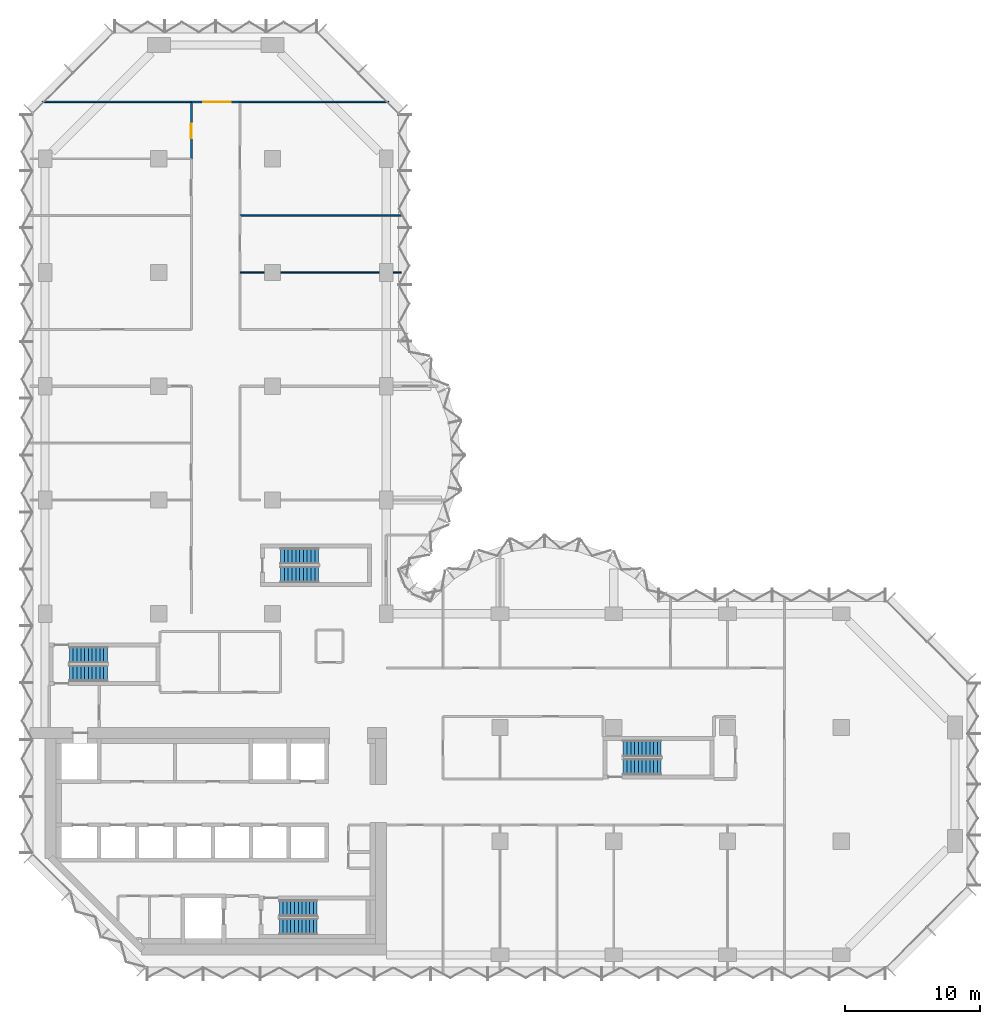
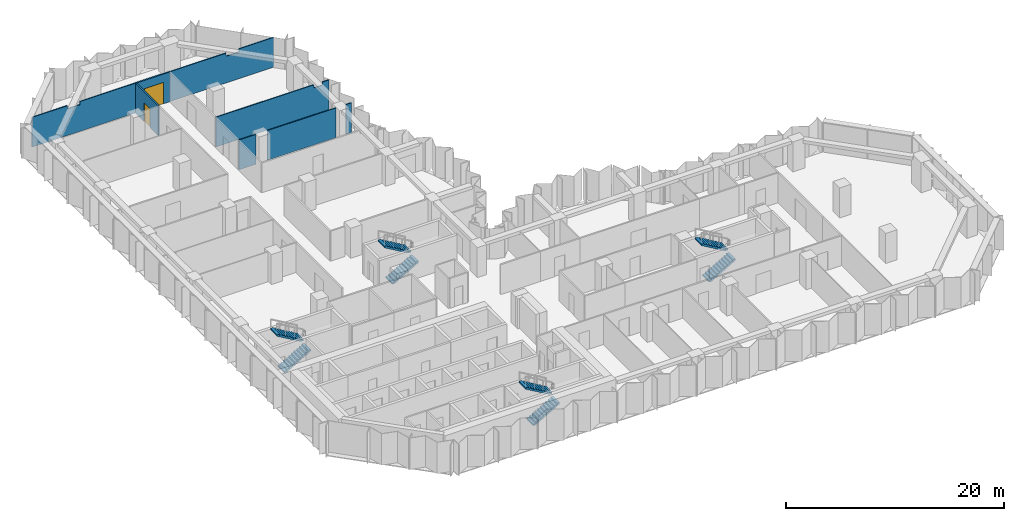
# One storey, part 11 of 13: 8 stair flights, 8 walls, 2 doors, 2 openings, 4 elements without a shape of their own.
"""IFC4 building model written with IfcOpenShell, lengths in metres."""

from ifc_helpers import new_model, si_unit, direction, frame, frame_2d, origin, place, context, subcontext, project, spatial, polyline, rectangle, outline, extrude, material, layer, layer_set, type_object, element, fill, aggregate, save


model = new_model("IFC4")

# Units and contexts
model_context = context("Model", 3, precision=1e-05, world=origin(), true_north=direction((0.0, 1.0)))
body_context = subcontext(model_context, "Body", "Model", "MODEL_VIEW")
ifc_project = project(units=[si_unit("LENGTHUNIT", "METRE"), si_unit("AREAUNIT", "SQUARE_METRE"), si_unit("VOLUMEUNIT", "CUBIC_METRE"), si_unit("PLANEANGLEUNIT", "RADIAN"), si_unit("MASSUNIT", "GRAM", prefix="KILO")], contexts=[model_context])

# Site, building, storey
site_placement = place(None, origin())
site = spatial("IfcSite", under=ifc_project, at=site_placement, CompositionType="ELEMENT")
building_placement = place(site_placement, origin())
building = spatial("IfcBuilding", under=site, at=building_placement, Name="Brevane Broadcast Tower", CompositionType="ELEMENT")
storey_placement = place(building_placement, frame((0.0, 0.0, 131.300048828125)))
storey = spatial("IfcBuildingStorey", under=building, at=storey_placement, Name="L32", CompositionType="ELEMENT", Elevation=131.300048828125)

# Walls
ifc_material_1 = material(Name="Gypsum board partition")
ifc_layer_1 = layer(ifc_material_1, 0.10009765625)
ifc_layer_set_1 = layer_set([ifc_layer_1], Name="PARTITION 100 STUD")
wall_type_1 = type_object("IfcWallType", Name="PARTITION 100 STUD", PredefinedType="PARTITIONING", material=ifc_layer_set_1)
wall_1_placement = place(storey_placement, frame((10.800048828125, 63.0, 0.0), z_axis=(0.0, 0.0, 1.0), x_axis=(-1.0, 0.0, 0.0)))
element("IfcWall", 1, at=wall_1_placement, inside=storey, type_object=wall_type_1, Name="Partition G09-061", PredefinedType="PARTITIONING", context=body_context, shape_type="SweptSolid", body=[
    extrude(outline(polyline([(0.0, 0.0), (11.0, 0.0), (11.0, 3.329833984375), (7.265625, 3.329833984375), (7.263671875, 2.97998046875), (5.936279296875, 2.97998046875), (5.934326171875, 3.329833984375), (0.0, 3.329833984375), (0.0, 0.0)])), frame((0.0, 0.050048828125, 0.0), z_axis=(0.0, -1.0, 0.0), x_axis=(1.0, 0.0, 0.0)), (0.0, 0.0, 1.0), 0.10009765625),
])
wall_2_placement = place(storey_placement, frame((25.39990234375, 63.0, 0.0), z_axis=(0.0, 0.0, 1.0), x_axis=(-1.0, 0.0, 0.0)))
element("IfcWall", 2, at=wall_2_placement, inside=storey, type_object=wall_type_1, Name="Partition G09-062", PredefinedType="PARTITIONING", context=body_context, shape_type="SweptSolid", body=[
    extrude(outline(polyline([(0.0, 0.0), (11.0, 0.0), (11.0, 3.329833984375), (5.065673828125, 3.329833984375), (5.063720703125, 2.97998046875), (3.736328125, 2.97998046875), (3.734375, 3.329833984375), (0.0, 3.329833984375), (0.0, 0.0)])), frame((0.0, 0.050048828125, 0.0), z_axis=(0.0, -1.0, 0.0), x_axis=(1.0, 0.0, 0.0)), (0.0, 0.0, 1.0), 0.10009765625),
])
wall_3_placement = place(storey_placement, frame((14.39990234375, 50.39990234375, 0.0), z_axis=(0.0, 0.0, 1.0), x_axis=(1.0, 0.0, 0.0)))
element("IfcWall", 3, at=wall_3_placement, inside=storey, type_object=wall_type_1, Name="Partition G09-079", PredefinedType="PARTITIONING", context=body_context, shape_type="SweptSolid", body=[
    extrude(rectangle(XDim=1.780029296875, YDim=0.10009765625, at=frame_2d((0.89013671875, 0.0))), origin(), (0.0, 0.0, 1.0), 3.329833984375),
])
wall_4_placement = place(storey_placement, frame((17.419921875, 50.39990234375, 0.0), z_axis=(0.0, 0.0, 1.0), x_axis=(1.0, 0.0, 0.0)))
element("IfcWall", 4, at=wall_4_placement, inside=storey, type_object=wall_type_1, Name="Partition G09-080", PredefinedType="PARTITIONING", context=body_context, shape_type="SweptSolid", body=[
    extrude(rectangle(XDim=7.260009765625, YDim=0.10009765625, at=frame_2d((3.6298828125, 0.0))), origin(), (0.0, 0.0, 1.0), 3.329833984375),
])
wall_5_placement = place(storey_placement, frame((25.719970703125, 50.39990234375, 0.0), z_axis=(0.0, 0.0, 1.0), x_axis=(1.0, 0.0, 0.0)))
element("IfcWall", 5, at=wall_5_placement, inside=storey, type_object=wall_type_1, Name="Partition G09-081", PredefinedType="PARTITIONING", context=body_context, shape_type="SweptSolid", body=[
    extrude(rectangle(XDim=0.580078125, YDim=0.10009765625, at=frame_2d((0.2900390625, 0.0))), origin(), (0.0, 0.0, 1.0), 3.329833984375),
])
wall_6_placement = place(storey_placement, frame((14.39990234375, 54.60009765625, 0.0), z_axis=(0.0, 0.0, 1.0), x_axis=(1.0, 0.0, 0.0)))
element("IfcWall", 6, at=wall_6_placement, inside=storey, type_object=wall_type_1, Name="Partition G09-082", PredefinedType="PARTITIONING", context=body_context, shape_type="SweptSolid", body=[
    extrude(outline(polyline([(0.0, 0.0), (11.97412109375, 0.0), (11.97412109375, 3.329833984375), (11.89990234375, 3.329833984375), (11.25, 3.329833984375), (11.248046875, 2.97998046875), (10.35205078125, 2.97998046875), (10.35009765625, 3.329833984375), (0.0, 3.329833984375), (0.0, 0.0)])), frame((0.0, 0.050048828125, 0.0), z_axis=(0.0, -1.0, 0.0), x_axis=(1.0, 0.0, 0.0)), (0.0, 0.0, 1.0), 0.10009765625),
])

# Wall, opening, door
ifc_layer_2 = layer(ifc_material_1, 0.14990234375)
ifc_layer_set_2 = layer_set([ifc_layer_2], Name="PARTITION 150 EI 60")
wall_type_2 = type_object("IfcWallType", Name="PARTITION 150 EI 60", PredefinedType="PARTITIONING", material=ifc_layer_set_2)
wall_7_placement = place(storey_placement, frame((10.800048828125, 63.0, 0.0), z_axis=(0.0, 0.0, 1.0), x_axis=(1.0, 0.0, 0.0)))
wall_7 = element("IfcWall", 7, at=wall_7_placement, inside=storey, type_object=wall_type_2, Name="Partition G09-051", PredefinedType="PARTITIONING", context=body_context, shape_type="SweptSolid", body=[
    extrude(rectangle(XDim=3.599853515625, YDim=0.14990234375, at=frame_2d((1.7998046875, 0.0))), origin(), (0.0, 0.0, 1.0), 3.329833984375),
])
opening_1_placement = place(wall_7_placement, frame((0.89990234375, 0.0, 0.0)))
opening_1 = element("IfcOpeningElement", 8, at=opening_1_placement, cuts=wall_7, Name="Opening D16-016", PredefinedType="OPENING", context=body_context, shape_type="SweptSolid", body=[
    extrude(rectangle(XDim=2.0, YDim=2.39990234375, at=frame_2d((1.0, 1.199951171875))), frame((0.0, 0.0849609375, 0.0), z_axis=(0.0, -1.0, 0.0), x_axis=(1.0, 0.0, 0.0)), (0.0, 0.0, 1.0), 0.169921875),
])
ifc_material_2 = material(Name="Fire-rated timber door leaf", Category="wood")
door_type_1 = type_object("IfcDoorType", Name="DOOR DOUBLE 2000 FD30S", OperationType="DOUBLE_DOOR_SINGLE_SWING", PredefinedType="DOOR", material=ifc_material_2)
door_1_placement = place(opening_1_placement, origin())
door_1 = element("IfcDoor", 9, at=door_1_placement, inside=storey, type_object=door_type_1, Name="Door D16-016", OperationType="DOUBLE_DOOR_SINGLE_SWING", OverallHeight=2.39990234375, OverallWidth=2.0, PredefinedType="DOOR", context=body_context, shape_type="SweptSolid", body=[
    extrude(rectangle(XDim=2.0, YDim=2.39990234375, at=frame_2d((1.0, 1.199951171875))), frame((0.0, 0.02490234375, 0.0), z_axis=(0.0, -1.0, 0.0), x_axis=(1.0, 0.0, 0.0)), (0.0, 0.0, 1.0), 0.050048828125),
])
fill(opening_1, door_1)

wall_8_placement = place(storey_placement, frame((10.800048828125, 58.800048828125, 0.0), z_axis=(0.0, 0.0, 1.0), x_axis=(0.0, 1.0, 0.0)))
wall_8 = element("IfcWall", 10, at=wall_8_placement, inside=storey, type_object=wall_type_2, Name="Partition G09-056", PredefinedType="PARTITIONING", context=body_context, shape_type="SweptSolid", body=[
    extrude(rectangle(XDim=4.199951171875, YDim=0.14990234375, at=frame_2d((2.10009765625, 0.0))), origin(), (0.0, 0.0, 1.0), 3.329833984375),
])
opening_2_placement = place(wall_8_placement, frame((1.5, 0.0, 0.0)))
opening_2 = element("IfcOpeningElement", 11, at=opening_2_placement, cuts=wall_8, Name="Opening D16-022", PredefinedType="OPENING", context=body_context, shape_type="SweptSolid", body=[
    extrude(rectangle(XDim=1.10009765625, YDim=2.10009765625, at=frame_2d((0.550048828125, 1.050048828125))), frame((0.0, 0.0849609375, 0.0), z_axis=(0.0, -1.0, 0.0), x_axis=(1.0, 0.0, 0.0)), (0.0, 0.0, 1.0), 0.169921875),
])
door_type_2 = type_object("IfcDoorType", Name="DOOR SINGLE 1100 FD30S", OperationType="SINGLE_SWING_LEFT", PredefinedType="DOOR", material=ifc_material_2)
door_2_placement = place(opening_2_placement, origin())
door_2 = element("IfcDoor", 12, at=door_2_placement, inside=storey, type_object=door_type_2, Name="Door D16-022", OperationType="SINGLE_SWING_LEFT", OverallHeight=2.10009765625, OverallWidth=1.10009765625, PredefinedType="DOOR", context=body_context, shape_type="SweptSolid", body=[
    extrude(rectangle(XDim=1.10009765625, YDim=2.10009765625, at=frame_2d((0.550048828125, 1.050048828125))), frame((0.0, 0.02490234375, 0.0), z_axis=(0.0, -1.0, 0.0), x_axis=(1.0, 0.0, 0.0)), (0.0, 0.0, 1.0), 0.050048828125),
])
fill(opening_2, door_2)

# Stair, stair flights
ifc_material_3 = material(Name="Concrete C50/60", Category="concrete")
stair_type = type_object("IfcStairType", Name="Exit stair 22 risers", PredefinedType="HALF_TURN_STAIR", material=ifc_material_3)
stair_1_placement = place(storey_placement, origin())
stair_1 = element("IfcStair", 13, at=stair_1_placement, inside=storey, type_object=stair_type, Name="L32 Exit stair ST-1", PredefinedType="HALF_TURN_STAIR")
stair_flight_type = type_object("IfcStairFlightType", Name="Exit stair flight 22 risers", PredefinedType="STRAIGHT", material=ifc_material_3)
stair_flight_1_placement = place(storey_placement, frame((1.800048828125, 20.800048828125, 0.0), z_axis=(0.0, 0.0, 1.0), x_axis=(1.0, 0.0, 0.0)))
stair_flight_1 = element("IfcStairFlight", 14, at=stair_flight_1_placement, type_object=stair_flight_type, Name="ST-1 flight 1", NumberOfRisers=11, NumberOfTreads=10, PredefinedType="STRAIGHT", RiserHeight=0.163636364, TreadLength=0.28, context=body_context, shape_type="SweptSolid", body=[
    extrude(outline(polyline([(0.0, 0.0), (0.0, 0.16357421875), (0.280029296875, 0.16357421875), (0.280029296875, 0.327392578125), (0.56005859375, 0.327392578125), (0.56005859375, 0.490966796875), (0.840087890625, 0.490966796875), (0.840087890625, 0.654541015625), (1.1201171875, 0.654541015625), (1.1201171875, 0.818115234375), (1.39990234375, 0.818115234375), (1.39990234375, 0.98193359375), (1.679931640625, 0.98193359375), (1.679931640625, 1.1455078125), (1.9599609375, 1.1455078125), (1.9599609375, 1.30908203125), (2.239990234375, 1.30908203125), (2.239990234375, 1.47265625), (2.52001953125, 1.47265625), (2.52001953125, 1.636474609375), (2.800048828125, 1.636474609375), (2.800048828125, 1.800048828125), (2.800048828125, 1.462646484375), (0.297119140625, 0.0), (0.0, 0.0)])), frame((0.0, 0.60009765625, 0.0), z_axis=(0.0, -1.0, 0.0), x_axis=(1.0, 0.0, 0.0)), (0.0, 0.0, 1.0), 1.199951171875),
])
stair_flight_2_placement = place(storey_placement, frame((4.60009765625, 22.14990234375, 1.800048828125), z_axis=(0.0, 0.0, 1.0), x_axis=(-1.0, 0.0, 0.0)))
stair_flight_2 = element("IfcStairFlight", 15, at=stair_flight_2_placement, type_object=stair_flight_type, Name="ST-1 flight 2", NumberOfRisers=11, NumberOfTreads=10, PredefinedType="STRAIGHT", RiserHeight=0.163636364, TreadLength=0.28, context=body_context, shape_type="SweptSolid", body=[
    extrude(outline(polyline([(0.0, 0.0), (0.0, 0.16357421875), (0.280029296875, 0.16357421875), (0.280029296875, 0.327392578125), (0.56005859375, 0.327392578125), (0.56005859375, 0.490966796875), (0.840087890625, 0.490966796875), (0.840087890625, 0.654541015625), (1.1201171875, 0.654541015625), (1.1201171875, 0.818115234375), (1.39990234375, 0.818115234375), (1.39990234375, 0.98193359375), (1.679931640625, 0.98193359375), (1.679931640625, 1.1455078125), (1.9599609375, 1.1455078125), (1.9599609375, 1.30908203125), (2.239990234375, 1.30908203125), (2.239990234375, 1.47265625), (2.52001953125, 1.47265625), (2.52001953125, 1.636474609375), (2.800048828125, 1.636474609375), (2.800048828125, 1.800048828125), (2.800048828125, 1.462646484375), (0.297119140625, 0.0), (0.0, 0.0)])), frame((0.0, 0.60009765625, 0.0), z_axis=(0.0, -1.0, 0.0), x_axis=(1.0, 0.0, 0.0)), (0.0, 0.0, 1.0), 1.199951171875),
])
aggregate(stair_1, [stair_flight_1, stair_flight_2])

stair_2_placement = place(storey_placement, origin())
stair_2 = element("IfcStair", 16, at=stair_2_placement, inside=storey, type_object=stair_type, Name="L32 Exit stair ST-2", PredefinedType="HALF_TURN_STAIR")
stair_flight_3_placement = place(storey_placement, frame((17.300048828125, 2.10009765625, 0.0), z_axis=(0.0, 0.0, 1.0), x_axis=(1.0, 0.0, 0.0)))
stair_flight_3 = element("IfcStairFlight", 17, at=stair_flight_3_placement, type_object=stair_flight_type, Name="ST-2 flight 1", NumberOfRisers=11, NumberOfTreads=10, PredefinedType="STRAIGHT", RiserHeight=0.163636364, TreadLength=0.28, context=body_context, shape_type="SweptSolid", body=[
    extrude(outline(polyline([(0.0, 0.0), (0.0, 0.16357421875), (0.280029296875, 0.16357421875), (0.280029296875, 0.327392578125), (0.56005859375, 0.327392578125), (0.56005859375, 0.490966796875), (0.840087890625, 0.490966796875), (0.840087890625, 0.654541015625), (1.1201171875, 0.654541015625), (1.1201171875, 0.818115234375), (1.39990234375, 0.818115234375), (1.39990234375, 0.98193359375), (1.679931640625, 0.98193359375), (1.679931640625, 1.1455078125), (1.9599609375, 1.1455078125), (1.9599609375, 1.30908203125), (2.239990234375, 1.30908203125), (2.239990234375, 1.47265625), (2.52001953125, 1.47265625), (2.52001953125, 1.636474609375), (2.800048828125, 1.636474609375), (2.800048828125, 1.800048828125), (2.800048828125, 1.462646484375), (0.297119140625, 0.0), (0.0, 0.0)])), frame((0.0, 0.60009765625, 0.0), z_axis=(0.0, -1.0, 0.0), x_axis=(1.0, 0.0, 0.0)), (0.0, 0.0, 1.0), 1.199951171875),
])
stair_flight_4_placement = place(storey_placement, frame((20.10009765625, 3.449951171875, 1.800048828125), z_axis=(0.0, 0.0, 1.0), x_axis=(-1.0, 0.0, 0.0)))
stair_flight_4 = element("IfcStairFlight", 18, at=stair_flight_4_placement, type_object=stair_flight_type, Name="ST-2 flight 2", NumberOfRisers=11, NumberOfTreads=10, PredefinedType="STRAIGHT", RiserHeight=0.163636364, TreadLength=0.28, context=body_context, shape_type="SweptSolid", body=[
    extrude(outline(polyline([(0.0, 0.0), (0.0, 0.16357421875), (0.280029296875, 0.16357421875), (0.280029296875, 0.327392578125), (0.56005859375, 0.327392578125), (0.56005859375, 0.490966796875), (0.840087890625, 0.490966796875), (0.840087890625, 0.654541015625), (1.1201171875, 0.654541015625), (1.1201171875, 0.818115234375), (1.39990234375, 0.818115234375), (1.39990234375, 0.98193359375), (1.679931640625, 0.98193359375), (1.679931640625, 1.1455078125), (1.9599609375, 1.1455078125), (1.9599609375, 1.30908203125), (2.239990234375, 1.30908203125), (2.239990234375, 1.47265625), (2.52001953125, 1.47265625), (2.52001953125, 1.636474609375), (2.800048828125, 1.636474609375), (2.800048828125, 1.800048828125), (2.800048828125, 1.462646484375), (0.297119140625, 0.0), (0.0, 0.0)])), frame((0.0, 0.60009765625, 0.0), z_axis=(0.0, -1.0, 0.0), x_axis=(1.0, 0.0, 0.0)), (0.0, 0.0, 1.0), 1.199951171875),
])
aggregate(stair_2, [stair_flight_3, stair_flight_4])

stair_3_placement = place(storey_placement, origin())
stair_3 = element("IfcStair", 19, at=stair_3_placement, inside=storey, type_object=stair_type, Name="L32 Exit stair ST-3", PredefinedType="HALF_TURN_STAIR")
stair_flight_5_placement = place(storey_placement, frame((17.39990234375, 28.10009765625, 0.0), z_axis=(0.0, 0.0, 1.0), x_axis=(1.0, 0.0, 0.0)))
stair_flight_5 = element("IfcStairFlight", 20, at=stair_flight_5_placement, type_object=stair_flight_type, Name="ST-3 flight 1", NumberOfRisers=11, NumberOfTreads=10, PredefinedType="STRAIGHT", RiserHeight=0.163636364, TreadLength=0.28, context=body_context, shape_type="SweptSolid", body=[
    extrude(outline(polyline([(0.0, 0.0), (0.0, 0.16357421875), (0.280029296875, 0.16357421875), (0.280029296875, 0.327392578125), (0.56005859375, 0.327392578125), (0.56005859375, 0.490966796875), (0.840087890625, 0.490966796875), (0.840087890625, 0.654541015625), (1.1201171875, 0.654541015625), (1.1201171875, 0.818115234375), (1.39990234375, 0.818115234375), (1.39990234375, 0.98193359375), (1.679931640625, 0.98193359375), (1.679931640625, 1.1455078125), (1.9599609375, 1.1455078125), (1.9599609375, 1.30908203125), (2.239990234375, 1.30908203125), (2.239990234375, 1.47265625), (2.52001953125, 1.47265625), (2.52001953125, 1.636474609375), (2.800048828125, 1.636474609375), (2.800048828125, 1.800048828125), (2.800048828125, 1.462646484375), (0.297119140625, 0.0), (0.0, 0.0)])), frame((0.0, 0.60009765625, 0.0), z_axis=(0.0, -1.0, 0.0), x_axis=(1.0, 0.0, 0.0)), (0.0, 0.0, 1.0), 1.199951171875),
])
stair_flight_6_placement = place(storey_placement, frame((20.199951171875, 29.449951171875, 1.800048828125), z_axis=(0.0, 0.0, 1.0), x_axis=(-1.0, 0.0, 0.0)))
stair_flight_6 = element("IfcStairFlight", 21, at=stair_flight_6_placement, type_object=stair_flight_type, Name="ST-3 flight 2", NumberOfRisers=11, NumberOfTreads=10, PredefinedType="STRAIGHT", RiserHeight=0.163636364, TreadLength=0.28, context=body_context, shape_type="SweptSolid", body=[
    extrude(outline(polyline([(0.0, 0.0), (0.0, 0.16357421875), (0.280029296875, 0.16357421875), (0.280029296875, 0.327392578125), (0.56005859375, 0.327392578125), (0.56005859375, 0.490966796875), (0.840087890625, 0.490966796875), (0.840087890625, 0.654541015625), (1.1201171875, 0.654541015625), (1.1201171875, 0.818115234375), (1.39990234375, 0.818115234375), (1.39990234375, 0.98193359375), (1.679931640625, 0.98193359375), (1.679931640625, 1.1455078125), (1.9599609375, 1.1455078125), (1.9599609375, 1.30908203125), (2.239990234375, 1.30908203125), (2.239990234375, 1.47265625), (2.52001953125, 1.47265625), (2.52001953125, 1.636474609375), (2.800048828125, 1.636474609375), (2.800048828125, 1.800048828125), (2.800048828125, 1.462646484375), (0.297119140625, 0.0), (0.0, 0.0)])), frame((0.0, 0.60009765625, 0.0), z_axis=(0.0, -1.0, 0.0), x_axis=(1.0, 0.0, 0.0)), (0.0, 0.0, 1.0), 1.199951171875),
])
aggregate(stair_3, [stair_flight_5, stair_flight_6])

stair_4_placement = place(storey_placement, origin())
stair_4 = element("IfcStair", 22, at=stair_4_placement, inside=storey, type_object=stair_type, Name="L32 Exit stair ST-4", PredefinedType="HALF_TURN_STAIR")
stair_flight_7_placement = place(storey_placement, frame((42.699951171875, 13.89990234375, 0.0), z_axis=(0.0, 0.0, 1.0), x_axis=(1.0, 0.0, 0.0)))
stair_flight_7 = element("IfcStairFlight", 23, at=stair_flight_7_placement, type_object=stair_flight_type, Name="ST-4 flight 1", NumberOfRisers=11, NumberOfTreads=10, PredefinedType="STRAIGHT", RiserHeight=0.163636364, TreadLength=0.28, context=body_context, shape_type="SweptSolid", body=[
    extrude(outline(polyline([(0.0, 0.0), (0.0, 0.16357421875), (0.280029296875, 0.16357421875), (0.280029296875, 0.327392578125), (0.56005859375, 0.327392578125), (0.56005859375, 0.490966796875), (0.840087890625, 0.490966796875), (0.840087890625, 0.654541015625), (1.1201171875, 0.654541015625), (1.1201171875, 0.818115234375), (1.39990234375, 0.818115234375), (1.39990234375, 0.98193359375), (1.679931640625, 0.98193359375), (1.679931640625, 1.1455078125), (1.9599609375, 1.1455078125), (1.9599609375, 1.30908203125), (2.239990234375, 1.30908203125), (2.239990234375, 1.47265625), (2.52001953125, 1.47265625), (2.52001953125, 1.636474609375), (2.800048828125, 1.636474609375), (2.800048828125, 1.800048828125), (2.800048828125, 1.462646484375), (0.297119140625, 0.0), (0.0, 0.0)])), frame((0.0, 0.60009765625, 0.0), z_axis=(0.0, -1.0, 0.0), x_axis=(1.0, 0.0, 0.0)), (0.0, 0.0, 1.0), 1.199951171875),
])
stair_flight_8_placement = place(storey_placement, frame((45.5, 15.25, 1.800048828125), z_axis=(0.0, 0.0, 1.0), x_axis=(-1.0, 0.0, 0.0)))
stair_flight_8 = element("IfcStairFlight", 24, at=stair_flight_8_placement, type_object=stair_flight_type, Name="ST-4 flight 2", NumberOfRisers=11, NumberOfTreads=10, PredefinedType="STRAIGHT", RiserHeight=0.163636364, TreadLength=0.28, context=body_context, shape_type="SweptSolid", body=[
    extrude(outline(polyline([(0.0, 0.0), (0.0, 0.16357421875), (0.280029296875, 0.16357421875), (0.280029296875, 0.327392578125), (0.56005859375, 0.327392578125), (0.56005859375, 0.490966796875), (0.840087890625, 0.490966796875), (0.840087890625, 0.654541015625), (1.1201171875, 0.654541015625), (1.1201171875, 0.818115234375), (1.39990234375, 0.818115234375), (1.39990234375, 0.98193359375), (1.679931640625, 0.98193359375), (1.679931640625, 1.1455078125), (1.9599609375, 1.1455078125), (1.9599609375, 1.30908203125), (2.239990234375, 1.30908203125), (2.239990234375, 1.47265625), (2.52001953125, 1.47265625), (2.52001953125, 1.636474609375), (2.800048828125, 1.636474609375), (2.800048828125, 1.800048828125), (2.800048828125, 1.462646484375), (0.297119140625, 0.0), (0.0, 0.0)])), frame((0.0, 0.60009765625, 0.0), z_axis=(0.0, -1.0, 0.0), x_axis=(1.0, 0.0, 0.0)), (0.0, 0.0, 1.0), 1.199951171875),
])
aggregate(stair_4, [stair_flight_7, stair_flight_8])

save(model, "model.ifc")
